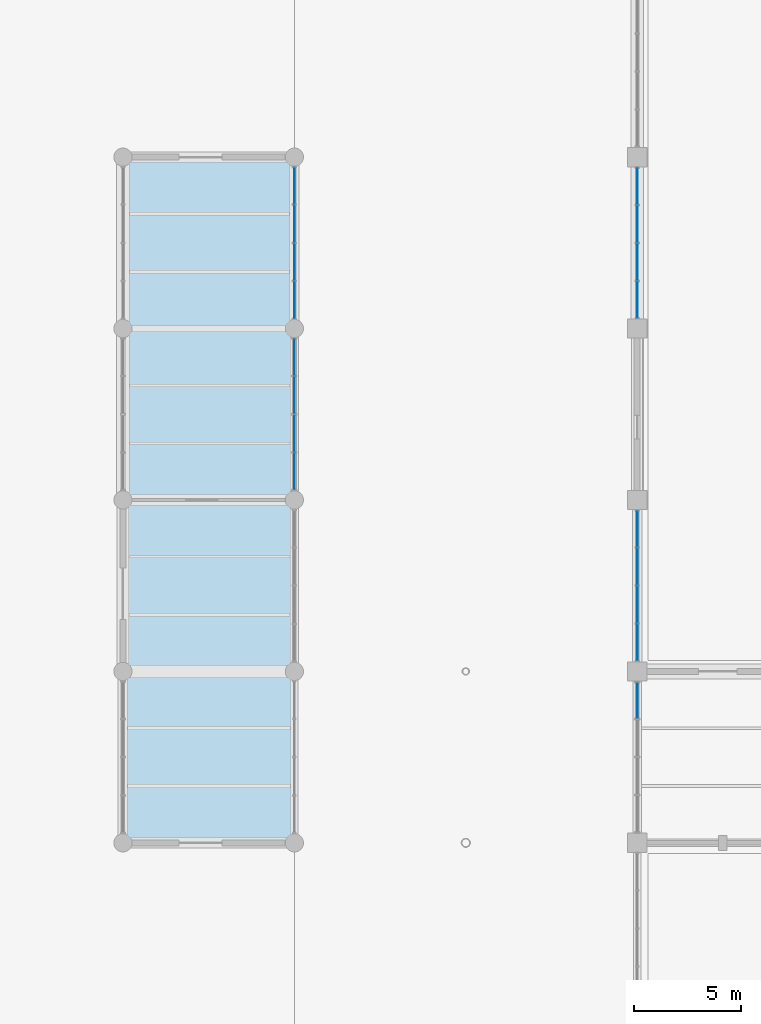
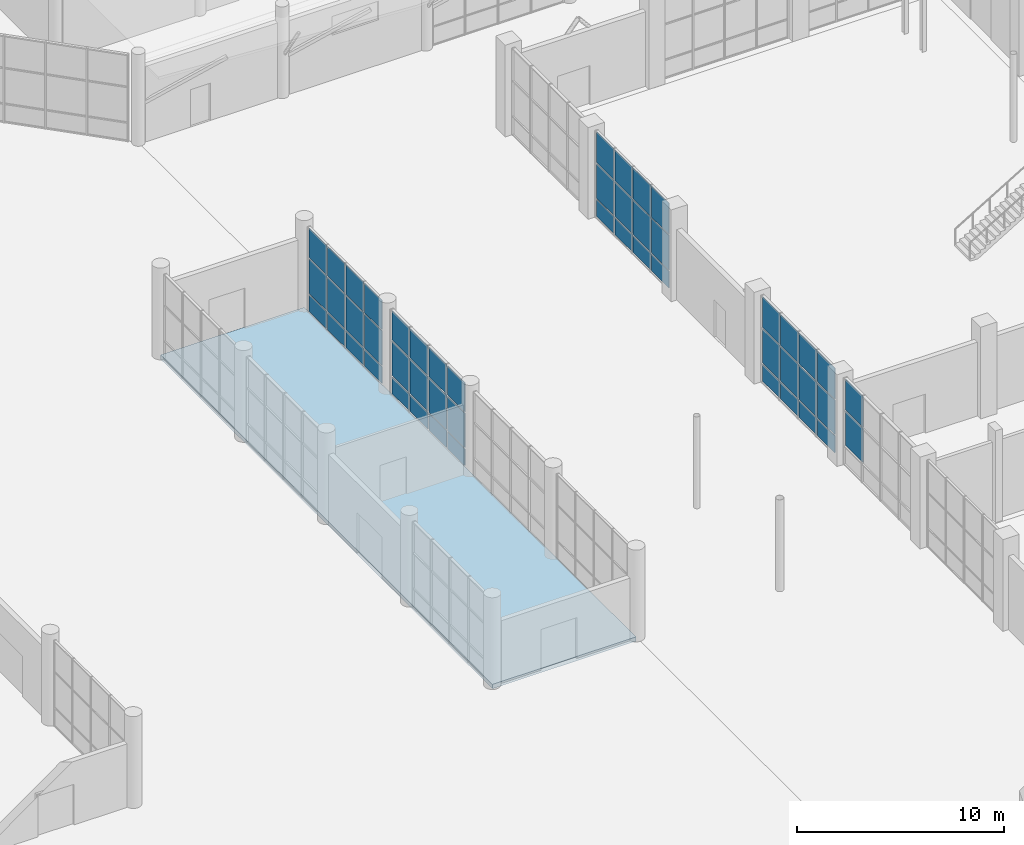
# One storey, part 73 of 123: 50 plates, 1 slab, 5 elements without a shape of their own.
"""IFC4 building model written with IfcOpenShell, lengths in metres."""

from ifc_helpers import new_model, si_unit, direction, frame, origin, origin_2d, place, context, subcontext, project, spatial, polyline, rectangle, outline, extrude, material, layer, layer_set, type_object, element, aggregate, save


model = new_model("IFC4")

# Units and contexts
model_context = context("Model", 3, precision=1e-05, world=origin(), true_north=direction((0.0, 1.0)))
body_context = subcontext(model_context, "Body", "Model", "MODEL_VIEW")
ifc_project = project(units=[si_unit("LENGTHUNIT", "METRE"), si_unit("AREAUNIT", "SQUARE_METRE"), si_unit("VOLUMEUNIT", "CUBIC_METRE"), si_unit("PLANEANGLEUNIT", "RADIAN"), si_unit("MASSUNIT", "GRAM", prefix="KILO")], contexts=[model_context])

# Site, building, storey
site_placement = place(None, origin())
site = spatial("IfcSite", under=ifc_project, at=site_placement, CompositionType="ELEMENT")
building_placement = place(site_placement, origin())
building = spatial("IfcBuilding", under=site, at=building_placement, Name="Tenunan Teduh Sports Hall", CompositionType="ELEMENT")
storey_placement = place(building_placement, origin())
storey = spatial("IfcBuildingStorey", under=building, at=storey_placement, Name="L00", CompositionType="ELEMENT", Elevation=0.0)

# Curtain wall, plates
ifc_material_1 = material(Name="Anodised aluminium", Category="aluminium")
curtain_wall_type = type_object("IfcCurtainWallType", Name="CW-UNIT-1", PredefinedType="NOTDEFINED", material=ifc_material_1)
curtain_wall_1_placement = place(storey_placement, origin())
curtain_wall_1 = element("IfcCurtainWall", 1, at=curtain_wall_1_placement, inside=storey, type_object=curtain_wall_type, Name="CW-CWM-200-L00-112", PredefinedType="NOTDEFINED")
ifc_material_2 = material(Name="Low-E laminated double glazing", Category="glass")
ifc_layer_1 = layer(ifc_material_2, 0.028076171875)
ifc_layer_set_1 = layer_set([ifc_layer_1], Name="Low-E laminated double glazing")
plate_type_1 = type_object("IfcPlateType", Name="CWP-GLZ-28", PredefinedType="CURTAIN_PANEL", material=ifc_layer_set_1)
plate_1_placement = place(storey_placement, frame((122.0, 47.35498046875, 1.134765625), z_axis=(0.0, 0.0, 1.0), x_axis=(0.0, 1.0, 0.0)))
plate_1 = element("IfcPlate", 2, at=plate_1_placement, type_object=plate_type_1, Name="CW-01 panel 1.2", PredefinedType="CURTAIN_PANEL", context=body_context, shape_type="SweptSolid", body=[
    extrude(rectangle(XDim=1.669921875, YDim=0.028076171875, at=origin_2d()), origin(), (0.0, 0.0, 1.0), 2.030029296875),
])
plate_2_placement = place(storey_placement, frame((122.0, 47.35498046875, 3.235107421875), z_axis=(0.0, 0.0, 1.0), x_axis=(0.0, 1.0, 0.0)))
plate_2 = element("IfcPlate", 3, at=plate_2_placement, type_object=plate_type_1, Name="CW-01 panel 1.3", PredefinedType="CURTAIN_PANEL", context=body_context, shape_type="SweptSolid", body=[
    extrude(rectangle(XDim=1.669921875, YDim=0.028076171875, at=origin_2d()), origin(), (0.0, 0.0, 1.0), 1.81494140625),
])
plate_3_placement = place(storey_placement, frame((122.0, 49.112548828125, 1.134765625), z_axis=(0.0, 0.0, 1.0), x_axis=(0.0, 1.0, 0.0)))
plate_3 = element("IfcPlate", 4, at=plate_3_placement, type_object=plate_type_1, Name="CW-01 panel 2.2", PredefinedType="CURTAIN_PANEL", context=body_context, shape_type="SweptSolid", body=[
    extrude(rectangle(XDim=1.705078125, YDim=0.028076171875, at=origin_2d()), origin(), (0.0, 0.0, 1.0), 2.030029296875),
])
plate_4_placement = place(storey_placement, frame((122.0, 49.112548828125, 3.235107421875), z_axis=(0.0, 0.0, 1.0), x_axis=(0.0, 1.0, 0.0)))
plate_4 = element("IfcPlate", 5, at=plate_4_placement, type_object=plate_type_1, Name="CW-01 panel 2.3", PredefinedType="CURTAIN_PANEL", context=body_context, shape_type="SweptSolid", body=[
    extrude(rectangle(XDim=1.705078125, YDim=0.028076171875, at=origin_2d()), origin(), (0.0, 0.0, 1.0), 1.81494140625),
])
plate_5_placement = place(storey_placement, frame((122.0, 50.887451171875, 1.134765625), z_axis=(0.0, 0.0, 1.0), x_axis=(0.0, 1.0, 0.0)))
plate_5 = element("IfcPlate", 6, at=plate_5_placement, type_object=plate_type_1, Name="CW-01 panel 3.2", PredefinedType="CURTAIN_PANEL", context=body_context, shape_type="SweptSolid", body=[
    extrude(rectangle(XDim=1.705078125, YDim=0.028076171875, at=origin_2d()), origin(), (0.0, 0.0, 1.0), 2.030029296875),
])
plate_6_placement = place(storey_placement, frame((122.0, 50.887451171875, 3.235107421875), z_axis=(0.0, 0.0, 1.0), x_axis=(0.0, 1.0, 0.0)))
plate_6 = element("IfcPlate", 7, at=plate_6_placement, type_object=plate_type_1, Name="CW-01 panel 3.3", PredefinedType="CURTAIN_PANEL", context=body_context, shape_type="SweptSolid", body=[
    extrude(rectangle(XDim=1.705078125, YDim=0.028076171875, at=origin_2d()), origin(), (0.0, 0.0, 1.0), 1.81494140625),
])
plate_7_placement = place(storey_placement, frame((122.0, 52.64501953125, 1.134765625), z_axis=(0.0, 0.0, 1.0), x_axis=(0.0, 1.0, 0.0)))
plate_7 = element("IfcPlate", 8, at=plate_7_placement, type_object=plate_type_1, Name="CW-01 panel 4.2", PredefinedType="CURTAIN_PANEL", context=body_context, shape_type="SweptSolid", body=[
    extrude(rectangle(XDim=1.669921875, YDim=0.028076171875, at=origin_2d()), origin(), (0.0, 0.0, 1.0), 2.030029296875),
])
plate_8_placement = place(storey_placement, frame((122.0, 52.64501953125, 3.235107421875), z_axis=(0.0, 0.0, 1.0), x_axis=(0.0, 1.0, 0.0)))
plate_8 = element("IfcPlate", 9, at=plate_8_placement, type_object=plate_type_1, Name="CW-01 panel 4.3", PredefinedType="CURTAIN_PANEL", context=body_context, shape_type="SweptSolid", body=[
    extrude(rectangle(XDim=1.669921875, YDim=0.028076171875, at=origin_2d()), origin(), (0.0, 0.0, 1.0), 1.81494140625),
])

curtain_wall_2_placement = place(storey_placement, origin())
curtain_wall_2 = element("IfcCurtainWall", 10, at=curtain_wall_2_placement, inside=storey, type_object=curtain_wall_type, Name="CW-CWM-175-L00-114", PredefinedType="NOTDEFINED")
plate_9_placement = place(storey_placement, frame((122.0, 63.353759765625, 1.13232421875), z_axis=(0.0, 0.0, 1.0), x_axis=(0.0, 1.0, 0.0)))
plate_9 = element("IfcPlate", 11, at=plate_9_placement, type_object=plate_type_1, Name="CW-01 panel 1.2", PredefinedType="CURTAIN_PANEL", context=body_context, shape_type="SweptSolid", body=[
    extrude(rectangle(XDim=1.677490234375, YDim=0.028076171875, at=origin_2d()), origin(), (0.0, 0.0, 1.0), 2.034912109375),
])
plate_10_placement = place(storey_placement, frame((122.0, 63.353759765625, 3.232421875), z_axis=(0.0, 0.0, 1.0), x_axis=(0.0, 1.0, 0.0)))
plate_10 = element("IfcPlate", 12, at=plate_10_placement, type_object=plate_type_1, Name="CW-01 panel 1.3", PredefinedType="CURTAIN_PANEL", context=body_context, shape_type="SweptSolid", body=[
    extrude(rectangle(XDim=1.677490234375, YDim=0.028076171875, at=origin_2d()), origin(), (0.0, 0.0, 1.0), 1.822509765625),
])
plate_11_placement = place(storey_placement, frame((122.0, 65.112548828125, 1.13232421875), z_axis=(0.0, 0.0, 1.0), x_axis=(0.0, 1.0, 0.0)))
plate_11 = element("IfcPlate", 13, at=plate_11_placement, type_object=plate_type_1, Name="CW-01 panel 2.2", PredefinedType="CURTAIN_PANEL", context=body_context, shape_type="SweptSolid", body=[
    extrude(rectangle(XDim=1.7099609375, YDim=0.028076171875, at=origin_2d()), origin(), (0.0, 0.0, 1.0), 2.034912109375),
])
plate_12_placement = place(storey_placement, frame((122.0, 65.112548828125, 3.232421875), z_axis=(0.0, 0.0, 1.0), x_axis=(0.0, 1.0, 0.0)))
plate_12 = element("IfcPlate", 14, at=plate_12_placement, type_object=plate_type_1, Name="CW-01 panel 2.3", PredefinedType="CURTAIN_PANEL", context=body_context, shape_type="SweptSolid", body=[
    extrude(rectangle(XDim=1.7099609375, YDim=0.028076171875, at=origin_2d()), origin(), (0.0, 0.0, 1.0), 1.822509765625),
])
plate_13_placement = place(storey_placement, frame((122.0, 66.887451171875, 1.13232421875), z_axis=(0.0, 0.0, 1.0), x_axis=(0.0, 1.0, 0.0)))
plate_13 = element("IfcPlate", 15, at=plate_13_placement, type_object=plate_type_1, Name="CW-01 panel 3.2", PredefinedType="CURTAIN_PANEL", context=body_context, shape_type="SweptSolid", body=[
    extrude(rectangle(XDim=1.7099609375, YDim=0.028076171875, at=origin_2d()), origin(), (0.0, 0.0, 1.0), 2.034912109375),
])
plate_14_placement = place(storey_placement, frame((122.0, 66.887451171875, 3.232421875), z_axis=(0.0, 0.0, 1.0), x_axis=(0.0, 1.0, 0.0)))
plate_14 = element("IfcPlate", 16, at=plate_14_placement, type_object=plate_type_1, Name="CW-01 panel 3.3", PredefinedType="CURTAIN_PANEL", context=body_context, shape_type="SweptSolid", body=[
    extrude(rectangle(XDim=1.7099609375, YDim=0.028076171875, at=origin_2d()), origin(), (0.0, 0.0, 1.0), 1.822509765625),
])
plate_15_placement = place(storey_placement, frame((122.0, 68.646240234375, 1.13232421875), z_axis=(0.0, 0.0, 1.0), x_axis=(0.0, 1.0, 0.0)))
plate_15 = element("IfcPlate", 17, at=plate_15_placement, type_object=plate_type_1, Name="CW-01 panel 4.2", PredefinedType="CURTAIN_PANEL", context=body_context, shape_type="SweptSolid", body=[
    extrude(rectangle(XDim=1.677490234375, YDim=0.028076171875, at=origin_2d()), origin(), (0.0, 0.0, 1.0), 2.034912109375),
])
plate_16_placement = place(storey_placement, frame((122.0, 68.646240234375, 3.232421875), z_axis=(0.0, 0.0, 1.0), x_axis=(0.0, 1.0, 0.0)))
plate_16 = element("IfcPlate", 18, at=plate_16_placement, type_object=plate_type_1, Name="CW-01 panel 4.3", PredefinedType="CURTAIN_PANEL", context=body_context, shape_type="SweptSolid", body=[
    extrude(rectangle(XDim=1.677490234375, YDim=0.028076171875, at=origin_2d()), origin(), (0.0, 0.0, 1.0), 1.822509765625),
])

curtain_wall_3_placement = place(storey_placement, origin())
curtain_wall_3 = element("IfcCurtainWall", 19, at=curtain_wall_3_placement, inside=storey, type_object=curtain_wall_type, Name="CW-CWM-175-L00-162", PredefinedType="NOTDEFINED")
plate_17_placement = place(storey_placement, frame((106.0, 63.3349609375, 1.13232421875), z_axis=(0.0, 0.0, 1.0), x_axis=(0.0, 1.0, 0.0)))
plate_17 = element("IfcPlate", 20, at=plate_17_placement, type_object=plate_type_1, Name="CW-01 panel 1.2", PredefinedType="CURTAIN_PANEL", context=body_context, shape_type="SweptSolid", body=[
    extrude(rectangle(XDim=1.68994140625, YDim=0.028076171875, at=origin_2d()), origin(), (0.0, 0.0, 1.0), 2.034912109375),
])
plate_18_placement = place(storey_placement, frame((106.0, 63.3349609375, 3.232421875), z_axis=(0.0, 0.0, 1.0), x_axis=(0.0, 1.0, 0.0)))
plate_18 = element("IfcPlate", 21, at=plate_18_placement, type_object=plate_type_1, Name="CW-01 panel 1.3", PredefinedType="CURTAIN_PANEL", context=body_context, shape_type="SweptSolid", body=[
    extrude(rectangle(XDim=1.68994140625, YDim=0.028076171875, at=origin_2d()), origin(), (0.0, 0.0, 1.0), 1.742431640625),
])
plate_19_placement = place(storey_placement, frame((106.0, 65.106201171875, 1.13232421875), z_axis=(0.0, 0.0, 1.0), x_axis=(0.0, 1.0, 0.0)))
plate_19 = element("IfcPlate", 22, at=plate_19_placement, type_object=plate_type_1, Name="CW-01 panel 2.2", PredefinedType="CURTAIN_PANEL", context=body_context, shape_type="SweptSolid", body=[
    extrude(rectangle(XDim=1.722412109375, YDim=0.028076171875, at=origin_2d()), origin(), (0.0, 0.0, 1.0), 2.034912109375),
])
plate_20_placement = place(storey_placement, frame((106.0, 65.106201171875, 3.232421875), z_axis=(0.0, 0.0, 1.0), x_axis=(0.0, 1.0, 0.0)))
plate_20 = element("IfcPlate", 23, at=plate_20_placement, type_object=plate_type_1, Name="CW-01 panel 2.3", PredefinedType="CURTAIN_PANEL", context=body_context, shape_type="SweptSolid", body=[
    extrude(rectangle(XDim=1.722412109375, YDim=0.028076171875, at=origin_2d()), origin(), (0.0, 0.0, 1.0), 1.742431640625),
])
plate_21_placement = place(storey_placement, frame((106.0, 66.893798828125, 1.13232421875), z_axis=(0.0, 0.0, 1.0), x_axis=(0.0, 1.0, 0.0)))
plate_21 = element("IfcPlate", 24, at=plate_21_placement, type_object=plate_type_1, Name="CW-01 panel 3.2", PredefinedType="CURTAIN_PANEL", context=body_context, shape_type="SweptSolid", body=[
    extrude(rectangle(XDim=1.722412109375, YDim=0.028076171875, at=origin_2d()), origin(), (0.0, 0.0, 1.0), 2.034912109375),
])
plate_22_placement = place(storey_placement, frame((106.0, 66.893798828125, 3.232421875), z_axis=(0.0, 0.0, 1.0), x_axis=(0.0, 1.0, 0.0)))
plate_22 = element("IfcPlate", 25, at=plate_22_placement, type_object=plate_type_1, Name="CW-01 panel 3.3", PredefinedType="CURTAIN_PANEL", context=body_context, shape_type="SweptSolid", body=[
    extrude(rectangle(XDim=1.722412109375, YDim=0.028076171875, at=origin_2d()), origin(), (0.0, 0.0, 1.0), 1.742431640625),
])
plate_23_placement = place(storey_placement, frame((106.0, 68.6650390625, 1.13232421875), z_axis=(0.0, 0.0, 1.0), x_axis=(0.0, 1.0, 0.0)))
plate_23 = element("IfcPlate", 26, at=plate_23_placement, type_object=plate_type_1, Name="CW-01 panel 4.2", PredefinedType="CURTAIN_PANEL", context=body_context, shape_type="SweptSolid", body=[
    extrude(rectangle(XDim=1.68994140625, YDim=0.028076171875, at=origin_2d()), origin(), (0.0, 0.0, 1.0), 2.034912109375),
])
plate_24_placement = place(storey_placement, frame((106.0, 68.6650390625, 3.232421875), z_axis=(0.0, 0.0, 1.0), x_axis=(0.0, 1.0, 0.0)))
plate_24 = element("IfcPlate", 27, at=plate_24_placement, type_object=plate_type_1, Name="CW-01 panel 4.3", PredefinedType="CURTAIN_PANEL", context=body_context, shape_type="SweptSolid", body=[
    extrude(rectangle(XDim=1.68994140625, YDim=0.028076171875, at=origin_2d()), origin(), (0.0, 0.0, 1.0), 1.742431640625),
])

curtain_wall_4_placement = place(storey_placement, origin())
curtain_wall_4 = element("IfcCurtainWall", 28, at=curtain_wall_4_placement, inside=storey, type_object=curtain_wall_type, Name="CW-CWM-220-L00-005", PredefinedType="NOTDEFINED")
ifc_material_3 = material(Name="Solar-control laminated glazing", Category="glass")
ifc_layer_2 = layer(ifc_material_3, 0.031982421875)
ifc_layer_set_2 = layer_set([ifc_layer_2], Name="Solar-control laminated glazing")
plate_type_2 = type_object("IfcPlateType", Name="CWP-GLZ-32", PredefinedType="CURTAIN_PANEL", material=ifc_layer_set_2)
plate_25_placement = place(storey_placement, frame((122.0, 44.643798828125, 1.137451171875), z_axis=(0.0, 0.0, 1.0), x_axis=(0.0, 1.0, 0.0)))
plate_25 = element("IfcPlate", 29, at=plate_25_placement, type_object=plate_type_2, Name="CW-01 panel 4.2", PredefinedType="CURTAIN_PANEL", context=body_context, shape_type="SweptSolid", body=[
    extrude(rectangle(XDim=1.66259765625, YDim=0.031982421875, at=origin_2d()), origin(), (0.0, 0.0, 1.0), 2.02490234375),
])
plate_26_placement = place(storey_placement, frame((122.0, 44.643798828125, 3.237548828125), z_axis=(0.0, 0.0, 1.0), x_axis=(0.0, 1.0, 0.0)))
plate_26 = element("IfcPlate", 30, at=plate_26_placement, type_object=plate_type_2, Name="CW-01 panel 4.3", PredefinedType="CURTAIN_PANEL", context=body_context, shape_type="SweptSolid", body=[
    extrude(rectangle(XDim=1.66259765625, YDim=0.031982421875, at=origin_2d()), origin(), (0.0, 0.0, 1.0), 1.8076171875),
])
aggregate(curtain_wall_4, [plate_25, plate_26])

curtain_wall_5_placement = place(storey_placement, origin())
curtain_wall_5 = element("IfcCurtainWall", 31, at=curtain_wall_5_placement, inside=storey, type_object=curtain_wall_type, Name="CW-CWM-220-L00-161", PredefinedType="NOTDEFINED")
plate_27_placement = place(storey_placement, frame((106.0, 55.33740234375, 1.137451171875), z_axis=(0.0, 0.0, 1.0), x_axis=(0.0, 1.0, 0.0)))
plate_27 = element("IfcPlate", 32, at=plate_27_placement, type_object=plate_type_2, Name="CW-01 panel 1.2", PredefinedType="CURTAIN_PANEL", context=body_context, shape_type="SweptSolid", body=[
    extrude(rectangle(XDim=1.675048828125, YDim=0.031982421875, at=origin_2d()), origin(), (0.0, 0.0, 1.0), 2.02490234375),
])
plate_28_placement = place(storey_placement, frame((106.0, 55.33740234375, 3.237548828125), z_axis=(0.0, 0.0, 1.0), x_axis=(0.0, 1.0, 0.0)))
plate_28 = element("IfcPlate", 33, at=plate_28_placement, type_object=plate_type_2, Name="CW-01 panel 1.3", PredefinedType="CURTAIN_PANEL", context=body_context, shape_type="SweptSolid", body=[
    extrude(rectangle(XDim=1.675048828125, YDim=0.031982421875, at=origin_2d()), origin(), (0.0, 0.0, 1.0), 1.7275390625),
])
plate_29_placement = place(storey_placement, frame((106.0, 57.106201171875, 1.137451171875), z_axis=(0.0, 0.0, 1.0), x_axis=(0.0, 1.0, 0.0)))
plate_29 = element("IfcPlate", 34, at=plate_29_placement, type_object=plate_type_2, Name="CW-01 panel 2.2", PredefinedType="CURTAIN_PANEL", context=body_context, shape_type="SweptSolid", body=[
    extrude(rectangle(XDim=1.71240234375, YDim=0.031982421875, at=origin_2d()), origin(), (0.0, 0.0, 1.0), 2.02490234375),
])
plate_30_placement = place(storey_placement, frame((106.0, 57.106201171875, 3.237548828125), z_axis=(0.0, 0.0, 1.0), x_axis=(0.0, 1.0, 0.0)))
plate_30 = element("IfcPlate", 35, at=plate_30_placement, type_object=plate_type_2, Name="CW-01 panel 2.3", PredefinedType="CURTAIN_PANEL", context=body_context, shape_type="SweptSolid", body=[
    extrude(rectangle(XDim=1.71240234375, YDim=0.031982421875, at=origin_2d()), origin(), (0.0, 0.0, 1.0), 1.7275390625),
])
plate_31_placement = place(storey_placement, frame((106.0, 58.893798828125, 1.137451171875), z_axis=(0.0, 0.0, 1.0), x_axis=(0.0, 1.0, 0.0)))
plate_31 = element("IfcPlate", 36, at=plate_31_placement, type_object=plate_type_2, Name="CW-01 panel 3.2", PredefinedType="CURTAIN_PANEL", context=body_context, shape_type="SweptSolid", body=[
    extrude(rectangle(XDim=1.71240234375, YDim=0.031982421875, at=origin_2d()), origin(), (0.0, 0.0, 1.0), 2.02490234375),
])
plate_32_placement = place(storey_placement, frame((106.0, 58.893798828125, 3.237548828125), z_axis=(0.0, 0.0, 1.0), x_axis=(0.0, 1.0, 0.0)))
plate_32 = element("IfcPlate", 37, at=plate_32_placement, type_object=plate_type_2, Name="CW-01 panel 3.3", PredefinedType="CURTAIN_PANEL", context=body_context, shape_type="SweptSolid", body=[
    extrude(rectangle(XDim=1.71240234375, YDim=0.031982421875, at=origin_2d()), origin(), (0.0, 0.0, 1.0), 1.7275390625),
])
plate_33_placement = place(storey_placement, frame((106.0, 60.66259765625, 1.137451171875), z_axis=(0.0, 0.0, 1.0), x_axis=(0.0, 1.0, 0.0)))
plate_33 = element("IfcPlate", 38, at=plate_33_placement, type_object=plate_type_2, Name="CW-01 panel 4.2", PredefinedType="CURTAIN_PANEL", context=body_context, shape_type="SweptSolid", body=[
    extrude(rectangle(XDim=1.675048828125, YDim=0.031982421875, at=origin_2d()), origin(), (0.0, 0.0, 1.0), 2.02490234375),
])
plate_34_placement = place(storey_placement, frame((106.0, 60.66259765625, 3.237548828125), z_axis=(0.0, 0.0, 1.0), x_axis=(0.0, 1.0, 0.0)))
plate_34 = element("IfcPlate", 39, at=plate_34_placement, type_object=plate_type_2, Name="CW-01 panel 4.3", PredefinedType="CURTAIN_PANEL", context=body_context, shape_type="SweptSolid", body=[
    extrude(rectangle(XDim=1.675048828125, YDim=0.031982421875, at=origin_2d()), origin(), (0.0, 0.0, 1.0), 1.7275390625),
])

# Plate
ifc_material_4 = material(Name="Insulated aluminium spandrel panel", Category="aluminium")
ifc_layer_3 = layer(ifc_material_4, 0.044921875)
ifc_layer_set_3 = layer_set([ifc_layer_3], Name="Insulated aluminium spandrel panel")
plate_type_3 = type_object("IfcPlateType", Name="CWP-SPN-45", PredefinedType="CURTAIN_PANEL", material=ifc_layer_set_3)
plate_35_placement = place(storey_placement, frame((122.0, 47.35498046875, 0.06982421875), z_axis=(0.0, 0.0, 1.0), x_axis=(0.0, 1.0, 0.0)))
plate_35 = element("IfcPlate", 40, at=plate_35_placement, type_object=plate_type_3, Name="CW-01 panel 1.1", PredefinedType="CURTAIN_PANEL", context=body_context, shape_type="SweptSolid", body=[
    extrude(rectangle(XDim=1.669921875, YDim=0.028076171875, at=origin_2d()), origin(), (0.0, 0.0, 1.0), 0.9951171875),
])

plate_36_placement = place(storey_placement, frame((122.0, 49.112548828125, 0.06982421875), z_axis=(0.0, 0.0, 1.0), x_axis=(0.0, 1.0, 0.0)))
plate_36 = element("IfcPlate", 41, at=plate_36_placement, type_object=plate_type_3, Name="CW-01 panel 2.1", PredefinedType="CURTAIN_PANEL", context=body_context, shape_type="SweptSolid", body=[
    extrude(rectangle(XDim=1.705078125, YDim=0.028076171875, at=origin_2d()), origin(), (0.0, 0.0, 1.0), 0.9951171875),
])

plate_37_placement = place(storey_placement, frame((122.0, 50.887451171875, 0.06982421875), z_axis=(0.0, 0.0, 1.0), x_axis=(0.0, 1.0, 0.0)))
plate_37 = element("IfcPlate", 42, at=plate_37_placement, type_object=plate_type_3, Name="CW-01 panel 3.1", PredefinedType="CURTAIN_PANEL", context=body_context, shape_type="SweptSolid", body=[
    extrude(rectangle(XDim=1.705078125, YDim=0.028076171875, at=origin_2d()), origin(), (0.0, 0.0, 1.0), 0.9951171875),
])

plate_38_placement = place(storey_placement, frame((122.0, 52.64501953125, 0.06982421875), z_axis=(0.0, 0.0, 1.0), x_axis=(0.0, 1.0, 0.0)))
plate_38 = element("IfcPlate", 43, at=plate_38_placement, type_object=plate_type_3, Name="CW-01 panel 4.1", PredefinedType="CURTAIN_PANEL", context=body_context, shape_type="SweptSolid", body=[
    extrude(rectangle(XDim=1.669921875, YDim=0.028076171875, at=origin_2d()), origin(), (0.0, 0.0, 1.0), 0.9951171875),
])

aggregate(curtain_wall_1, [plate_35, plate_1, plate_2, plate_36, plate_3, plate_4, plate_37, plate_5, plate_6, plate_38, plate_7, plate_8])

plate_39_placement = place(storey_placement, frame((122.0, 63.353759765625, 0.06494140625), z_axis=(0.0, 0.0, 1.0), x_axis=(0.0, 1.0, 0.0)))
plate_39 = element("IfcPlate", 44, at=plate_39_placement, type_object=plate_type_3, Name="CW-01 panel 1.1", PredefinedType="CURTAIN_PANEL", context=body_context, shape_type="SweptSolid", body=[
    extrude(rectangle(XDim=1.677490234375, YDim=0.028076171875, at=origin_2d()), origin(), (0.0, 0.0, 1.0), 1.00244140625),
])

plate_40_placement = place(storey_placement, frame((122.0, 65.112548828125, 0.06494140625), z_axis=(0.0, 0.0, 1.0), x_axis=(0.0, 1.0, 0.0)))
plate_40 = element("IfcPlate", 45, at=plate_40_placement, type_object=plate_type_3, Name="CW-01 panel 2.1", PredefinedType="CURTAIN_PANEL", context=body_context, shape_type="SweptSolid", body=[
    extrude(rectangle(XDim=1.7099609375, YDim=0.028076171875, at=origin_2d()), origin(), (0.0, 0.0, 1.0), 1.00244140625),
])

plate_41_placement = place(storey_placement, frame((122.0, 66.887451171875, 0.06494140625), z_axis=(0.0, 0.0, 1.0), x_axis=(0.0, 1.0, 0.0)))
plate_41 = element("IfcPlate", 46, at=plate_41_placement, type_object=plate_type_3, Name="CW-01 panel 3.1", PredefinedType="CURTAIN_PANEL", context=body_context, shape_type="SweptSolid", body=[
    extrude(rectangle(XDim=1.7099609375, YDim=0.028076171875, at=origin_2d()), origin(), (0.0, 0.0, 1.0), 1.00244140625),
])

plate_42_placement = place(storey_placement, frame((122.0, 68.646240234375, 0.06494140625), z_axis=(0.0, 0.0, 1.0), x_axis=(0.0, 1.0, 0.0)))
plate_42 = element("IfcPlate", 47, at=plate_42_placement, type_object=plate_type_3, Name="CW-01 panel 4.1", PredefinedType="CURTAIN_PANEL", context=body_context, shape_type="SweptSolid", body=[
    extrude(rectangle(XDim=1.677490234375, YDim=0.028076171875, at=origin_2d()), origin(), (0.0, 0.0, 1.0), 1.00244140625),
])

aggregate(curtain_wall_2, [plate_39, plate_9, plate_10, plate_40, plate_11, plate_12, plate_41, plate_13, plate_14, plate_42, plate_15, plate_16])

plate_43_placement = place(storey_placement, frame((106.0, 55.33740234375, 0.0751953125), z_axis=(0.0, 0.0, 1.0), x_axis=(0.0, 1.0, 0.0)))
plate_43 = element("IfcPlate", 48, at=plate_43_placement, type_object=plate_type_3, Name="CW-01 panel 1.1", PredefinedType="CURTAIN_PANEL", context=body_context, shape_type="SweptSolid", body=[
    extrude(rectangle(XDim=1.675048828125, YDim=0.031982421875, at=origin_2d()), origin(), (0.0, 0.0, 1.0), 0.987548828125),
])

plate_44_placement = place(storey_placement, frame((106.0, 57.106201171875, 0.0751953125), z_axis=(0.0, 0.0, 1.0), x_axis=(0.0, 1.0, 0.0)))
plate_44 = element("IfcPlate", 49, at=plate_44_placement, type_object=plate_type_3, Name="CW-01 panel 2.1", PredefinedType="CURTAIN_PANEL", context=body_context, shape_type="SweptSolid", body=[
    extrude(rectangle(XDim=1.71240234375, YDim=0.031982421875, at=origin_2d()), origin(), (0.0, 0.0, 1.0), 0.987548828125),
])

plate_45_placement = place(storey_placement, frame((106.0, 58.893798828125, 0.0751953125), z_axis=(0.0, 0.0, 1.0), x_axis=(0.0, 1.0, 0.0)))
plate_45 = element("IfcPlate", 50, at=plate_45_placement, type_object=plate_type_3, Name="CW-01 panel 3.1", PredefinedType="CURTAIN_PANEL", context=body_context, shape_type="SweptSolid", body=[
    extrude(rectangle(XDim=1.71240234375, YDim=0.031982421875, at=origin_2d()), origin(), (0.0, 0.0, 1.0), 0.987548828125),
])

plate_46_placement = place(storey_placement, frame((106.0, 60.66259765625, 0.0751953125), z_axis=(0.0, 0.0, 1.0), x_axis=(0.0, 1.0, 0.0)))
plate_46 = element("IfcPlate", 51, at=plate_46_placement, type_object=plate_type_3, Name="CW-01 panel 4.1", PredefinedType="CURTAIN_PANEL", context=body_context, shape_type="SweptSolid", body=[
    extrude(rectangle(XDim=1.675048828125, YDim=0.031982421875, at=origin_2d()), origin(), (0.0, 0.0, 1.0), 0.987548828125),
])

aggregate(curtain_wall_5, [plate_43, plate_27, plate_28, plate_44, plate_29, plate_30, plate_45, plate_31, plate_32, plate_46, plate_33, plate_34])

plate_47_placement = place(storey_placement, frame((106.0, 63.3349609375, 0.06494140625), z_axis=(0.0, 0.0, 1.0), x_axis=(0.0, 1.0, 0.0)))
plate_47 = element("IfcPlate", 52, at=plate_47_placement, type_object=plate_type_3, Name="CW-01 panel 1.1", PredefinedType="CURTAIN_PANEL", context=body_context, shape_type="SweptSolid", body=[
    extrude(rectangle(XDim=1.68994140625, YDim=0.028076171875, at=origin_2d()), origin(), (0.0, 0.0, 1.0), 1.00244140625),
])

plate_48_placement = place(storey_placement, frame((106.0, 65.106201171875, 0.06494140625), z_axis=(0.0, 0.0, 1.0), x_axis=(0.0, 1.0, 0.0)))
plate_48 = element("IfcPlate", 53, at=plate_48_placement, type_object=plate_type_3, Name="CW-01 panel 2.1", PredefinedType="CURTAIN_PANEL", context=body_context, shape_type="SweptSolid", body=[
    extrude(rectangle(XDim=1.722412109375, YDim=0.028076171875, at=origin_2d()), origin(), (0.0, 0.0, 1.0), 1.00244140625),
])

plate_49_placement = place(storey_placement, frame((106.0, 66.893798828125, 0.06494140625), z_axis=(0.0, 0.0, 1.0), x_axis=(0.0, 1.0, 0.0)))
plate_49 = element("IfcPlate", 54, at=plate_49_placement, type_object=plate_type_3, Name="CW-01 panel 3.1", PredefinedType="CURTAIN_PANEL", context=body_context, shape_type="SweptSolid", body=[
    extrude(rectangle(XDim=1.722412109375, YDim=0.028076171875, at=origin_2d()), origin(), (0.0, 0.0, 1.0), 1.00244140625),
])

plate_50_placement = place(storey_placement, frame((106.0, 68.6650390625, 0.06494140625), z_axis=(0.0, 0.0, 1.0), x_axis=(0.0, 1.0, 0.0)))
plate_50 = element("IfcPlate", 55, at=plate_50_placement, type_object=plate_type_3, Name="CW-01 panel 4.1", PredefinedType="CURTAIN_PANEL", context=body_context, shape_type="SweptSolid", body=[
    extrude(rectangle(XDim=1.68994140625, YDim=0.028076171875, at=origin_2d()), origin(), (0.0, 0.0, 1.0), 1.00244140625),
])

aggregate(curtain_wall_3, [plate_47, plate_17, plate_18, plate_48, plate_19, plate_20, plate_49, plate_21, plate_22, plate_50, plate_23, plate_24])

# Slab
ifc_material_5 = material(Name="Concrete C40/50", Category="concrete")
ifc_layer_4 = layer(ifc_material_5, 0.25)
ifc_layer_set_4 = layer_set([ifc_layer_4], Name="Concrete C40/50")
slab_type = type_object("IfcSlabType", Name="SLB-FLR-250", PredefinedType="FLOOR", material=ifc_layer_set_4)
slab_placement = place(storey_placement, frame((0.0, 0.0, -0.25)))
element("IfcSlab", 56, at=slab_placement, inside=storey, type_object=slab_type, Name="SL-L00-V4E", PredefinedType="FLOOR", context=body_context, shape_type="SweptSolid", body=[
    extrude(outline(polyline([(98.0, 38.0), (106.0, 38.0), (106.0, 70.0), (98.0, 70.0), (98.0, 38.0)])), origin(), (0.0, 0.0, 1.0), 0.25),
])

save(model, "model.ifc")
